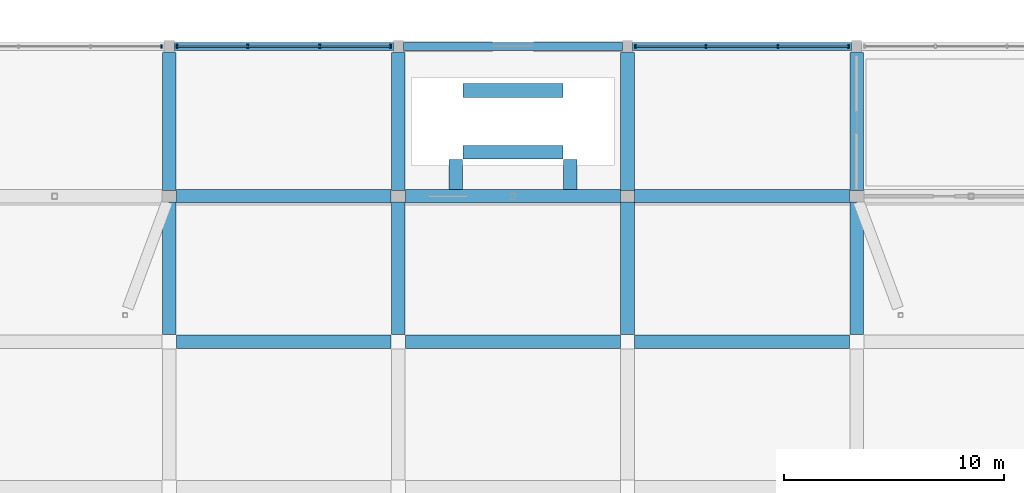
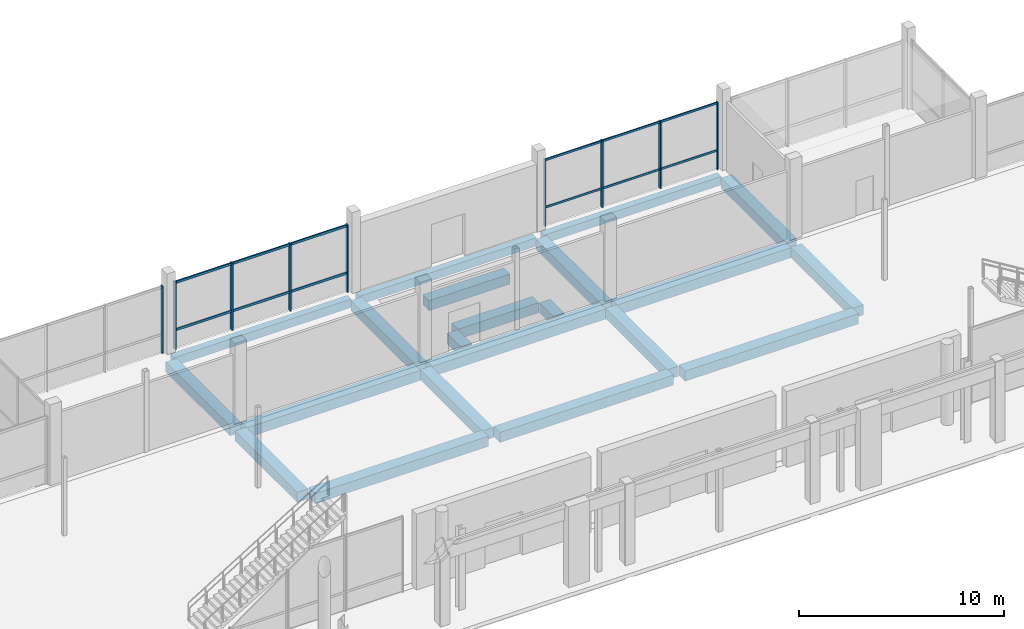
# One storey, part 30 of 88: 21 beams, 13 members, 3 elements without a shape of their own.
"""IFC4 building model written with IfcOpenShell, lengths in metres."""

import ifcopenshell
import ifcopenshell.guid

model = None  # the IFC model being written
_history = None  # IfcOwnerHistory: only IFC2X3 demands one
_inside = {}  # id of a spatial element -> (the spatial element, [elements in it])
_under = {}  # id of a project, library or spatial element -> (it, [spatial elements below it])
_declared = {}  # id of a project -> (the project, [libraries it declares])
_typed = {}  # id of a type object -> (the type object, [elements of that type])
_made_of = {}  # id of a material, layer set ... -> (it, [elements and type objects made of it])


def new_model(schema):
    """Start an empty IFC model of exactly this schema.

    Asked for "IFC4X3", IfcOpenShell would pick the latest addendum, in which some entities
    have other attributes; the version numbers below select the first issue.
    IFC2X3 requires an IfcOwnerHistory on every rooted entity: one is made here for all.
    """
    global model, _history
    if schema == "IFC4X3":
        model = ifcopenshell.file(schema_version=(4, 3, 0, 0))
    else:
        model = ifcopenshell.file(schema=schema)
    _inside.clear()
    _under.clear()
    _declared.clear()
    _typed.clear()
    _made_of.clear()
    _history = None
    if model.schema == "IFC2X3":
        org = make("IfcOrganization", Name="unknown")
        user = make(
            "IfcPersonAndOrganization",
            ThePerson=make("IfcPerson", FamilyName="unknown"),
            TheOrganization=org,
        )
        app = make(
            "IfcApplication",
            ApplicationDeveloper=org,
            Version="unknown",
            ApplicationFullName="unknown",
            ApplicationIdentifier="unknown",
        )
        _history = make(
            "IfcOwnerHistory",
            OwningUser=user,
            OwningApplication=app,
            ChangeAction="ADDED",
            CreationDate=0,
        )
    return model


def make(cls, **values):
    """One entity of the class cls with the attributes given. An attribute that is None is left unset."""
    return model.create_entity(
        cls, **{name: value for name, value in values.items() if value is not None}
    )


def rooted(cls, **values):
    """An entity with a GlobalId (a new one), such as an element, a storey or a relation."""
    return make(cls, GlobalId=ifcopenshell.guid.new(), OwnerHistory=_history, **values)


def si_unit(unit_type, name, prefix=None):
    """IfcSIUnit, for example si_unit("LENGTHUNIT", "METRE", prefix="MILLI")."""
    return make("IfcSIUnit", UnitType=unit_type, Prefix=prefix, Name=name)


def derived_unit(unit_type, elements):
    """IfcDerivedUnit: a product of units, each with its exponent."""
    return make(
        "IfcDerivedUnit",
        Elements=[
            make("IfcDerivedUnitElement", Unit=unit, Exponent=power)
            for unit, power in elements
        ],
        UnitType=unit_type,
    )


def assignment(units):
    """IfcUnitAssignment: the units of a project."""
    return None if units is None else make("IfcUnitAssignment", Units=units)


def point(xyz):
    """IfcCartesianPoint."""
    return None if xyz is None else make("IfcCartesianPoint", Coordinates=xyz)


def direction(xyz):
    """IfcDirection."""
    return None if xyz is None else make("IfcDirection", DirectionRatios=xyz)


def frame(location, z_axis=None, x_axis=None):
    """IfcAxis2Placement3D, a coordinate frame: its origin and axes. An axis left out is left unset."""
    return make(
        "IfcAxis2Placement3D",
        Location=point(location),
        Axis=direction(z_axis),
        RefDirection=direction(x_axis),
    )


def frame_2d(location, x_axis=None):
    """IfcAxis2Placement2D, a coordinate frame in the plane: its origin and x axis."""
    return make(
        "IfcAxis2Placement2D", Location=point(location), RefDirection=direction(x_axis)
    )


def origin():
    """The frame at (0, 0, 0) with its axes left unset."""
    return frame((0.0, 0.0, 0.0))


def origin_2d():
    """The frame at (0, 0) in the plane with its x axis left unset."""
    return frame_2d((0.0, 0.0))


def place(relative_to, where):
    """IfcLocalPlacement: puts the frame where relative to a parent placement (None: the world)."""
    return make(
        "IfcLocalPlacement", PlacementRelTo=relative_to, RelativePlacement=where
    )


def context(
    kind, dimensions, precision=None, world=None, true_north=None, identifier=None
):
    """IfcGeometricRepresentationContext, for example the 3D "Model" context."""
    return make(
        "IfcGeometricRepresentationContext",
        ContextIdentifier=identifier,
        ContextType=kind,
        CoordinateSpaceDimension=dimensions,
        Precision=precision,
        WorldCoordinateSystem=world,
        TrueNorth=true_north,
    )


def subcontext(parent, identifier, kind, view, scale=None):
    """IfcGeometricRepresentationSubContext, for example "Body" below "Model"."""
    return make(
        "IfcGeometricRepresentationSubContext",
        ContextIdentifier=identifier,
        ContextType=kind,
        ParentContext=parent,
        TargetScale=scale,
        TargetView=view,
    )


def project(units=None, contexts=None):
    """IfcProject with its units and contexts."""
    return rooted(
        "IfcProject",
        Name="project",
        RepresentationContexts=contexts,
        UnitsInContext=assignment(units),
    )


def spatial(cls, under=None, at=None, **own):
    """A site, building, storey or space (cls), placed at a placement, below another one or the project."""
    s = rooted(cls, ObjectPlacement=at, **own)
    if under is not None:
        _under.setdefault(under.id(), (under, []))[1].append(s)
    return s


def profile(cls, at=None, kind="AREA", **sizes):
    """A parametric profile (cls). Its sizes go by their IFC names, for example OverallWidth=200.0."""
    return make(cls, ProfileType=kind, Position=at, **sizes)


def rectangle(**sizes):
    """IfcRectangleProfileDef."""
    return profile("IfcRectangleProfileDef", **sizes)


def extrude(swept, where, along, depth):
    """IfcExtrudedAreaSolid: the profile swept, set in the frame where, extruded along a direction by depth."""
    return make(
        "IfcExtrudedAreaSolid",
        SweptArea=swept,
        Position=where,
        ExtrudedDirection=direction(along),
        Depth=depth,
    )


def shape(context_of_items, identifier, shape_type, items):
    """IfcShapeRepresentation: the items that make up one representation, for example the "Body"."""
    return make(
        "IfcShapeRepresentation",
        ContextOfItems=context_of_items,
        RepresentationIdentifier=identifier,
        RepresentationType=shape_type,
        Items=items,
    )


def material(Name=None, Category=None):
    """IfcMaterial."""
    return make("IfcMaterial", Name=Name, Category=Category)


def material_profile(
    of_material, cross_section, Name=None, Category=None, Priority=None
):
    """IfcMaterialProfile: a cross section and its material."""
    return make(
        "IfcMaterialProfile",
        Name=Name,
        Material=of_material,
        Profile=cross_section,
        Priority=Priority,
        Category=Category,
    )


def profile_set(profiles, Name=None, composite=None):
    """IfcMaterialProfileSet."""
    return make(
        "IfcMaterialProfileSet",
        Name=Name,
        MaterialProfiles=profiles,
        CompositeProfile=composite,
    )


def made_of(thing, what):
    """Note that an element or type object is made of a material, layer set ...; save() writes the relation."""
    if what is not None:
        _made_of.setdefault(what.id(), (what, []))[1].append(thing)
    return thing


def type_object(cls, material=None, **own):
    """A type object (cls), such as IfcWallType, which elements share."""
    return made_of(rooted(cls, **own), material)


def element(
    cls,
    number,
    at=None,
    inside=None,
    cuts=None,
    type_object=None,
    material=None,
    context=None,
    identifier="Body",
    shape_type=None,
    held_by="IfcProductDefinitionShape",
    body=None,
    shapes=None,
    **own,
):
    """One element of the class cls, such as IfcWall. Its Tag is "e" and its number.

    at: its placement. inside: the storey or other place that contains it. cuts: it is an
    opening in that element (IfcRelVoidsElement). A single representation is given by context,
    identifier, shape_type and body (its items); several are given by shapes. held_by: the class
    of the entity that holds the representations. save() writes the other relations.
    """
    e = rooted(cls, Tag="e%d" % number, ObjectPlacement=at, **own)
    if body is not None:
        shapes = [shape(context, identifier, shape_type, body)]
    if shapes is not None:
        e.Representation = make(held_by, Representations=shapes)
    if inside is not None:
        _inside.setdefault(inside.id(), (inside, []))[1].append(e)
    if cuts is not None:
        rooted(
            "IfcRelVoidsElement", RelatingBuildingElement=cuts, RelatedOpeningElement=e
        )
    if type_object is not None:
        _typed.setdefault(type_object.id(), (type_object, []))[1].append(e)
    return made_of(e, material)


def aggregate(whole, parts):
    """IfcRelAggregates: a whole, such as a stair, and the parts it consists of."""
    return rooted("IfcRelAggregates", RelatingObject=whole, RelatedObjects=parts)


def save(model, path):
    """Write the relations noted so far, then the file.

    IfcRelAggregates (storeys below a building ...), IfcRelContainedInSpatialStructure (elements
    in a storey), IfcRelDefinesByType, IfcRelAssociatesMaterial and IfcRelDeclares: one each for
    every whole, place, type object, material and project.
    """
    for whole, parts in _under.values():
        aggregate(whole, parts)
    for where, things in _inside.values():
        rooted(
            "IfcRelContainedInSpatialStructure",
            RelatedElements=things,
            RelatingStructure=where,
        )
    for kind, things in _typed.values():
        rooted("IfcRelDefinesByType", RelatedObjects=things, RelatingType=kind)
    for what, things in _made_of.values():
        rooted("IfcRelAssociatesMaterial", RelatedObjects=things, RelatingMaterial=what)
    for by, libraries in _declared.values():
        rooted("IfcRelDeclares", RelatingContext=by, RelatedDefinitions=libraries)
    model.write(path)


model = new_model("IFC4")

# Units and contexts
model_context = context("Model", 3, precision=1e-05, world=origin(), true_north=direction((0.0, 1.0)))
body_context = subcontext(model_context, "Body", "Model", "MODEL_VIEW")
ifc_project = project(units=[si_unit("LENGTHUNIT", "METRE"), si_unit("AREAUNIT", "SQUARE_METRE"), si_unit("VOLUMEUNIT", "CUBIC_METRE"), si_unit("PLANEANGLEUNIT", "RADIAN"), si_unit("MASSUNIT", "GRAM", prefix="KILO"), derived_unit("THERMALTRANSMITTANCEUNIT", [(si_unit("POWERUNIT", "WATT"), 1), (si_unit("LENGTHUNIT", "METRE"), -2), (si_unit("THERMODYNAMICTEMPERATUREUNIT", "KELVIN"), -1)])], contexts=[model_context])

# Site, building, storey
site_placement = place(None, origin())
site = spatial("IfcSite", under=ifc_project, at=site_placement, CompositionType="ELEMENT")
building_placement = place(site_placement, origin())
building = spatial("IfcBuilding", under=site, at=building_placement, Name="Braskholm Square Health Centre", CompositionType="ELEMENT")
storey_placement = place(building_placement, origin())
storey = spatial("IfcBuildingStorey", under=building, at=storey_placement, Name="L01", CompositionType="ELEMENT", Elevation=0.0)

# Curtain wall, member
ifc_material_1 = material(Name="Low-E triple insulating glass (VLT 0.64)", Category="glass")
curtain_wall_type = type_object("IfcCurtainWallType", Name="UnitisedCurtainWall6200x4100", PredefinedType="NOTDEFINED", material=ifc_material_1)
curtain_wall_1_placement = place(storey_placement, origin())
curtain_wall_1 = element("IfcCurtainWall", 1, at=curtain_wall_1_placement, inside=storey, type_object=curtain_wall_type, Name="Hydrotherapy North unitised curtain wall CW-L01-0236", PredefinedType="NOTDEFINED")
ifc_material_2 = material(Name="Architectural bronze anodised aluminium", Category="aluminium")
ifc_material_profile_1 = material_profile(ifc_material_2, rectangle(XDim=0.06494140625, YDim=0.14990234375, at=origin_2d()), Name="ALU-65X150")
ifc_profile_set_1 = profile_set([ifc_material_profile_1], Name="Architectural bronze anodised aluminium")
member_type_1 = type_object("IfcMemberType", Name="CurtainWallMullion65x150", PredefinedType="MULLION", material=ifc_profile_set_1)
member_1_placement = place(storey_placement, frame((68.041259765625, 113.800048828125, 0.0), z_axis=(0.0, 0.0, 1.0), x_axis=(1.0, 0.0, 0.0)))
member_1 = element("IfcMember", 2, at=member_1_placement, type_object=member_type_1, Name="CW-L01-0236 vertical mullion 1", PredefinedType="MULLION", context=body_context, shape_type="SweptSolid", body=[
    extrude(rectangle(XDim=0.06494140625, YDim=0.14990234375, at=origin_2d()), origin(), (0.0, 0.0, 1.0), 4.0),
])
aggregate(curtain_wall_1, [member_1])

# Curtain wall, members
curtain_wall_2_placement = place(storey_placement, origin())
curtain_wall_2 = element("IfcCurtainWall", 3, at=curtain_wall_2_placement, inside=storey, type_object=curtain_wall_type, Name="Hydrotherapy North unitised curtain wall CW-L01-0238", PredefinedType="NOTDEFINED")
member_2_placement = place(storey_placement, frame((99.2412109375, 113.800048828125, 0.0), z_axis=(0.0, 0.0, 1.0), x_axis=(1.0, 0.0, 0.0)))
member_2 = element("IfcMember", 4, at=member_2_placement, type_object=member_type_1, Name="CW-L01-0238 vertical mullion 1", PredefinedType="MULLION", context=body_context, shape_type="SweptSolid", body=[
    extrude(rectangle(XDim=0.06494140625, YDim=0.14990234375, at=origin_2d()), origin(), (0.0, 0.0, 1.0), 4.0),
])
member_3_placement = place(storey_placement, frame((96.033203125, 113.800048828125, 0.0), z_axis=(0.0, 0.0, 1.0), x_axis=(1.0, 0.0, 0.0)))
member_3 = element("IfcMember", 5, at=member_3_placement, type_object=member_type_1, Name="CW-L01-0238 vertical mullion 2", PredefinedType="MULLION", context=body_context, shape_type="SweptSolid", body=[
    extrude(rectangle(XDim=0.06494140625, YDim=0.14990234375, at=origin_2d()), origin(), (0.0, 0.0, 1.0), 4.0),
])
member_4_placement = place(storey_placement, frame((92.7666015625, 113.800048828125, 0.0), z_axis=(0.0, 0.0, 1.0), x_axis=(1.0, 0.0, 0.0)))
member_4 = element("IfcMember", 6, at=member_4_placement, type_object=member_type_1, Name="CW-L01-0238 vertical mullion 3", PredefinedType="MULLION", context=body_context, shape_type="SweptSolid", body=[
    extrude(rectangle(XDim=0.06494140625, YDim=0.14990234375, at=origin_2d()), origin(), (0.0, 0.0, 1.0), 4.0),
])
member_5_placement = place(storey_placement, frame((89.558837890625, 113.800048828125, 0.0), z_axis=(0.0, 0.0, 1.0), x_axis=(1.0, 0.0, 0.0)))
member_5 = element("IfcMember", 7, at=member_5_placement, type_object=member_type_1, Name="CW-L01-0238 vertical mullion 4", PredefinedType="MULLION", context=body_context, shape_type="SweptSolid", body=[
    extrude(rectangle(XDim=0.06494140625, YDim=0.14990234375, at=origin_2d()), origin(), (0.0, 0.0, 1.0), 4.0),
])

curtain_wall_3_placement = place(storey_placement, origin())
curtain_wall_3 = element("IfcCurtainWall", 8, at=curtain_wall_3_placement, inside=storey, type_object=curtain_wall_type, Name="Hydrotherapy North unitised curtain wall CW-L01-0237", PredefinedType="NOTDEFINED")
ifc_material_profile_2 = material_profile(ifc_material_2, rectangle(XDim=0.074951171875, YDim=0.179931640625, at=origin_2d()), Name="ALU-75X180")
ifc_profile_set_2 = profile_set([ifc_material_profile_2], Name="Architectural bronze anodised aluminium")
member_type_2 = type_object("IfcMemberType", Name="CurtainWallMullion75x180", PredefinedType="MULLION", material=ifc_profile_set_2)
member_6_placement = place(storey_placement, frame((78.441162109375, 113.800048828125, 0.0), z_axis=(0.0, 0.0, 1.0), x_axis=(1.0, 0.0, 0.0)))
member_6 = element("IfcMember", 9, at=member_6_placement, type_object=member_type_2, Name="CW-L01-0237 vertical mullion 1", PredefinedType="MULLION", context=body_context, shape_type="SweptSolid", body=[
    extrude(rectangle(XDim=0.074951171875, YDim=0.179931640625, at=origin_2d()), origin(), (0.0, 0.0, 1.0), 4.0),
])
member_7_placement = place(storey_placement, frame((75.2333984375, 113.800048828125, 0.0), z_axis=(0.0, 0.0, 1.0), x_axis=(1.0, 0.0, 0.0)))
member_7 = element("IfcMember", 10, at=member_7_placement, type_object=member_type_2, Name="CW-L01-0237 vertical mullion 2", PredefinedType="MULLION", context=body_context, shape_type="SweptSolid", body=[
    extrude(rectangle(XDim=0.074951171875, YDim=0.179931640625, at=origin_2d()), origin(), (0.0, 0.0, 1.0), 4.0),
])
member_8_placement = place(storey_placement, frame((71.966796875, 113.800048828125, 0.0), z_axis=(0.0, 0.0, 1.0), x_axis=(1.0, 0.0, 0.0)))
member_8 = element("IfcMember", 11, at=member_8_placement, type_object=member_type_2, Name="CW-L01-0237 vertical mullion 3", PredefinedType="MULLION", context=body_context, shape_type="SweptSolid", body=[
    extrude(rectangle(XDim=0.074951171875, YDim=0.179931640625, at=origin_2d()), origin(), (0.0, 0.0, 1.0), 4.0),
])
member_9_placement = place(storey_placement, frame((68.7587890625, 113.800048828125, 0.0), z_axis=(0.0, 0.0, 1.0), x_axis=(1.0, 0.0, 0.0)))
member_9 = element("IfcMember", 12, at=member_9_placement, type_object=member_type_2, Name="CW-L01-0237 vertical mullion 4", PredefinedType="MULLION", context=body_context, shape_type="SweptSolid", body=[
    extrude(rectangle(XDim=0.074951171875, YDim=0.179931640625, at=origin_2d()), origin(), (0.0, 0.0, 1.0), 4.0),
])

# Member
ifc_material_profile_3 = material_profile(ifc_material_2, rectangle(XDim=0.06494140625, YDim=0.1201171875, at=origin_2d()), Name="ALU-65X120")
ifc_profile_set_3 = profile_set([ifc_material_profile_3], Name="Architectural bronze anodised aluminium")
member_type_3 = type_object("IfcMemberType", Name="CurtainWallTransom65x120", PredefinedType="USERDEFINED", material=ifc_profile_set_3)
member_10_placement = place(storey_placement, frame((99.2548828125, 113.800048828125, 1.1201171875), z_axis=(-1.0, 0.0, 0.0), x_axis=(0.0, -1.0, 0.0)))
member_10 = element("IfcMember", 13, at=member_10_placement, type_object=member_type_3, Name="CW-L01-0238 horizontal transom 1", ObjectType="TRANSOM", PredefinedType="USERDEFINED", context=body_context, shape_type="SweptSolid", body=[
    extrude(rectangle(XDim=0.06494140625, YDim=0.1201171875, at=origin_2d()), origin(), (0.0, 0.0, 1.0), 9.7099609375),
])

member_11_placement = place(storey_placement, frame((99.2548828125, 113.800048828125, 3.929931640625), z_axis=(-1.0, 0.0, 0.0), x_axis=(0.0, -1.0, 0.0)))
member_11 = element("IfcMember", 14, at=member_11_placement, type_object=member_type_3, Name="CW-L01-0238 horizontal transom 2", ObjectType="TRANSOM", PredefinedType="USERDEFINED", context=body_context, shape_type="SweptSolid", body=[
    extrude(rectangle(XDim=0.06494140625, YDim=0.1201171875, at=origin_2d()), origin(), (0.0, 0.0, 1.0), 9.7099609375),
])

aggregate(curtain_wall_2, [member_2, member_3, member_4, member_5, member_10, member_11])

ifc_material_profile_4 = material_profile(ifc_material_2, rectangle(XDim=0.074951171875, YDim=0.139892578125, at=origin_2d()), Name="ALU-75X140")
ifc_profile_set_4 = profile_set([ifc_material_profile_4], Name="Architectural bronze anodised aluminium")
member_type_4 = type_object("IfcMemberType", Name="CurtainWallTransom75x140", PredefinedType="USERDEFINED", material=ifc_profile_set_4)
member_12_placement = place(storey_placement, frame((78.455078125, 113.800048828125, 1.1201171875), z_axis=(-1.0, 0.0, 0.0), x_axis=(0.0, -1.0, 0.0)))
member_12 = element("IfcMember", 15, at=member_12_placement, type_object=member_type_4, Name="CW-L01-0237 horizontal transom 1", ObjectType="TRANSOM", PredefinedType="USERDEFINED", context=body_context, shape_type="SweptSolid", body=[
    extrude(rectangle(XDim=0.074951171875, YDim=0.139892578125, at=origin_2d()), origin(), (0.0, 0.0, 1.0), 9.7099609375),
])

member_13_placement = place(storey_placement, frame((78.455078125, 113.800048828125, 3.929931640625), z_axis=(-1.0, 0.0, 0.0), x_axis=(0.0, -1.0, 0.0)))
member_13 = element("IfcMember", 16, at=member_13_placement, type_object=member_type_4, Name="CW-L01-0237 horizontal transom 2", ObjectType="TRANSOM", PredefinedType="USERDEFINED", context=body_context, shape_type="SweptSolid", body=[
    extrude(rectangle(XDim=0.074951171875, YDim=0.139892578125, at=origin_2d()), origin(), (0.0, 0.0, 1.0), 9.7099609375),
])

aggregate(curtain_wall_3, [member_6, member_7, member_8, member_9, member_12, member_13])

# Beams
ifc_material_3 = material(Name="Concrete C40/50 (f'c = 40 MPa)", Category="concrete")
ifc_material_profile_5 = material_profile(ifc_material_3, rectangle(XDim=0.6201171875, YDim=0.60009765625, at=origin_2d()), Name="RCB-620X600")
ifc_profile_set_5 = profile_set([ifc_material_profile_5], Name="Concrete C40/50 (f'c = 40 MPa)")
beam_type_1 = type_object("IfcBeamType", Name="PrimarySubstructureBeam620x600", PredefinedType="BEAM", material=ifc_profile_set_5)
for number, where, z_axis, x_axis, name in (
    (17, (81.72509765625, 109.0, -0.60009765625), (1.0, 0.0, 0.0), (0.0, 1.0, 0.0), "Pool basin tie beam S"),
    (18, (81.72509765625, 111.800048828125, -0.60009765625), (1.0, 0.0, 0.0), (0.0, 1.0, 0.0), "Pool basin tie beam N"),
):
    element("IfcBeam", number, at=place(storey_placement, frame(where, z_axis=z_axis, x_axis=x_axis)), inside=storey, type_object=beam_type_1, Name=name, PredefinedType="BEAM", context=body_context, shape_type="SweptSolid", body=[
        extrude(rectangle(XDim=0.6201171875, YDim=0.60009765625, at=origin_2d()), origin(), (0.0, 0.0, 1.0), 4.5498046875),
    ])
for number, where, z_axis, x_axis, name in (
    (19, (81.39990234375, 107.31005859375, -0.60009765625), (0.0, 1.0, 0.0), (-1.0, 0.0, 0.0), "Pool basin tie beam W"),
    (20, (86.60009765625, 107.31005859375, -0.60009765625), (0.0, 1.0, 0.0), (-1.0, 0.0, 0.0), "Pool basin tie beam E"),
):
    element("IfcBeam", number, at=place(storey_placement, frame(where, z_axis=z_axis, x_axis=x_axis)), inside=storey, type_object=beam_type_1, Name=name, PredefinedType="BEAM", context=body_context, shape_type="SweptSolid", body=[
        extrude(rectangle(XDim=0.6201171875, YDim=0.60009765625, at=origin_2d()), origin(), (0.0, 0.0, 1.0), 1.364990234375),
    ])
beam_1_placement = place(storey_placement, frame((68.39990234375, 100.72509765625, -0.679931640625), z_axis=(0.0, 1.0, 0.0), x_axis=(-1.0, 0.0, 0.0)))
element("IfcBeam", 21, at=beam_1_placement, inside=storey, type_object=beam_type_1, Name="Beam 10/Q-R L01", PredefinedType="BEAM", context=body_context, shape_type="SweptSolid", body=[
    extrude(rectangle(XDim=0.6201171875, YDim=0.60009765625, at=origin_2d()), origin(), (0.0, 0.0, 1.0), 6.02490234375),
])
beam_2_placement = place(storey_placement, frame((68.39990234375, 107.25, -0.679931640625), z_axis=(0.0, 1.0, 0.0), x_axis=(-1.0, 0.0, 0.0)))
element("IfcBeam", 22, at=beam_2_placement, inside=storey, type_object=beam_type_1, Name="Beam 10/R-S L01", PredefinedType="BEAM", context=body_context, shape_type="SweptSolid", body=[
    extrude(rectangle(XDim=0.6201171875, YDim=0.60009765625, at=origin_2d()), origin(), (0.0, 0.0, 1.0), 6.27001953125),
])
beam_3_placement = place(storey_placement, frame((78.800048828125, 100.72509765625, -0.679931640625), z_axis=(0.0, 1.0, 0.0), x_axis=(-1.0, 0.0, 0.0)))
element("IfcBeam", 23, at=beam_3_placement, inside=storey, type_object=beam_type_1, Name="Beam 11/Q-R L01", PredefinedType="BEAM", context=body_context, shape_type="SweptSolid", body=[
    extrude(rectangle(XDim=0.6201171875, YDim=0.60009765625, at=origin_2d()), origin(), (0.0, 0.0, 1.0), 6.02490234375),
])
beam_4_placement = place(storey_placement, frame((78.800048828125, 107.25, -0.679931640625), z_axis=(0.0, 1.0, 0.0), x_axis=(-1.0, 0.0, 0.0)))
element("IfcBeam", 24, at=beam_4_placement, inside=storey, type_object=beam_type_1, Name="Beam 11/R-S L01", PredefinedType="BEAM", context=body_context, shape_type="SweptSolid", body=[
    extrude(rectangle(XDim=0.6201171875, YDim=0.60009765625, at=origin_2d()), origin(), (0.0, 0.0, 1.0), 6.27001953125),
])
beam_5_placement = place(storey_placement, frame((89.199951171875, 100.72509765625, -0.679931640625), z_axis=(0.0, 1.0, 0.0), x_axis=(-1.0, 0.0, 0.0)))
element("IfcBeam", 25, at=beam_5_placement, inside=storey, type_object=beam_type_1, Name="Beam 12/Q-R L01", PredefinedType="BEAM", context=body_context, shape_type="SweptSolid", body=[
    extrude(rectangle(XDim=0.6201171875, YDim=0.60009765625, at=origin_2d()), origin(), (0.0, 0.0, 1.0), 6.02490234375),
])
beam_6_placement = place(storey_placement, frame((89.199951171875, 107.25, -0.679931640625), z_axis=(0.0, 1.0, 0.0), x_axis=(-1.0, 0.0, 0.0)))
element("IfcBeam", 26, at=beam_6_placement, inside=storey, type_object=beam_type_1, Name="Beam 12/R-S L01", PredefinedType="BEAM", context=body_context, shape_type="SweptSolid", body=[
    extrude(rectangle(XDim=0.6201171875, YDim=0.60009765625, at=origin_2d()), origin(), (0.0, 0.0, 1.0), 6.27001953125),
])
beam_7_placement = place(storey_placement, frame((99.60009765625, 100.72509765625, -0.679931640625), z_axis=(0.0, 1.0, 0.0), x_axis=(-1.0, 0.0, 0.0)))
element("IfcBeam", 27, at=beam_7_placement, inside=storey, type_object=beam_type_1, Name="Beam 13/Q-R L01", PredefinedType="BEAM", context=body_context, shape_type="SweptSolid", body=[
    extrude(rectangle(XDim=0.6201171875, YDim=0.60009765625, at=origin_2d()), origin(), (0.0, 0.0, 1.0), 6.02490234375),
])
beam_8_placement = place(storey_placement, frame((99.60009765625, 107.25, -0.679931640625), z_axis=(0.0, 1.0, 0.0), x_axis=(-1.0, 0.0, 0.0)))
element("IfcBeam", 28, at=beam_8_placement, inside=storey, type_object=beam_type_1, Name="Beam 13/R-S L01", PredefinedType="BEAM", context=body_context, shape_type="SweptSolid", body=[
    extrude(rectangle(XDim=0.6201171875, YDim=0.60009765625, at=origin_2d()), origin(), (0.0, 0.0, 1.0), 6.27001953125),
])
for number, where, z_axis, x_axis, name in (
    (29, (68.72509765625, 100.39990234375, -0.60009765625), (1.0, 0.0, 0.0), (0.0, 1.0, 0.0), "Beam 10-11/Q L01"),
    (30, (79.125, 100.39990234375, -0.60009765625), (1.0, 0.0, 0.0), (0.0, 1.0, 0.0), "Beam 11-12/Q L01"),
    (31, (89.52490234375, 100.39990234375, -0.60009765625), (1.0, 0.0, 0.0), (0.0, 1.0, 0.0), "Beam 12-13/Q L01"),
    (32, (68.72509765625, 107.0, -0.679931640625), (1.0, 0.0, 0.0), (0.0, 1.0, 0.0), "Beam 10-11/R L01"),
    (33, (79.125, 107.0, -0.679931640625), (1.0, 0.0, 0.0), (0.0, 1.0, 0.0), "Beam 11-12/R L01"),
    (34, (89.52490234375, 107.0, -0.679931640625), (1.0, 0.0, 0.0), (0.0, 1.0, 0.0), "Beam 12-13/R L01"),
):
    element("IfcBeam", number, at=place(storey_placement, frame(where, z_axis=z_axis, x_axis=x_axis)), inside=storey, type_object=beam_type_1, Name=name, PredefinedType="BEAM", context=body_context, shape_type="SweptSolid", body=[
        extrude(rectangle(XDim=0.6201171875, YDim=0.60009765625, at=origin_2d()), origin(), (0.0, 0.0, 1.0), 9.75),
    ])
ifc_material_4 = material(Name="Precast concrete C40/50 architectural white", Category="concrete")
ifc_material_profile_6 = material_profile(ifc_material_4, rectangle(XDim=0.3798828125, YDim=0.5, at=origin_2d()), Name="RCB-380X500")
ifc_profile_set_6 = profile_set([ifc_material_profile_6], Name="Precast concrete C40/50 architectural white")
beam_type_2 = type_object("IfcBeamType", Name="SpandrelPrecastEdge380x500", PredefinedType="SPANDREL", material=ifc_profile_set_6)
beam_9_placement = place(storey_placement, frame((68.6298828125, 113.800048828125, -0.6298828125), z_axis=(1.0, 0.0, 0.0), x_axis=(0.0, 1.0, 0.0)))
element("IfcBeam", 35, at=beam_9_placement, inside=storey, type_object=beam_type_2, Name="Beam 10-11/S L01", PredefinedType="SPANDREL", context=body_context, shape_type="SweptSolid", body=[
    extrude(rectangle(XDim=0.3798828125, YDim=0.5, at=origin_2d()), origin(), (0.0, 0.0, 1.0), 9.940185546875),
])
beam_10_placement = place(storey_placement, frame((79.030029296875, 113.800048828125, -0.6298828125), z_axis=(1.0, 0.0, 0.0), x_axis=(0.0, 1.0, 0.0)))
element("IfcBeam", 36, at=beam_10_placement, inside=storey, type_object=beam_type_2, Name="Beam 11-12/S L01", PredefinedType="SPANDREL", context=body_context, shape_type="SweptSolid", body=[
    extrude(rectangle(XDim=0.3798828125, YDim=0.5, at=origin_2d()), origin(), (0.0, 0.0, 1.0), 9.93994140625),
])
beam_11_placement = place(storey_placement, frame((89.429931640625, 113.800048828125, -0.6298828125), z_axis=(1.0, 0.0, 0.0), x_axis=(0.0, 1.0, 0.0)))
element("IfcBeam", 37, at=beam_11_placement, inside=storey, type_object=beam_type_2, Name="Beam 12-13/S L01", PredefinedType="SPANDREL", context=body_context, shape_type="SweptSolid", body=[
    extrude(rectangle(XDim=0.3798828125, YDim=0.5, at=origin_2d()), origin(), (0.0, 0.0, 1.0), 9.940185546875),
])

save(model, "model.ifc")
